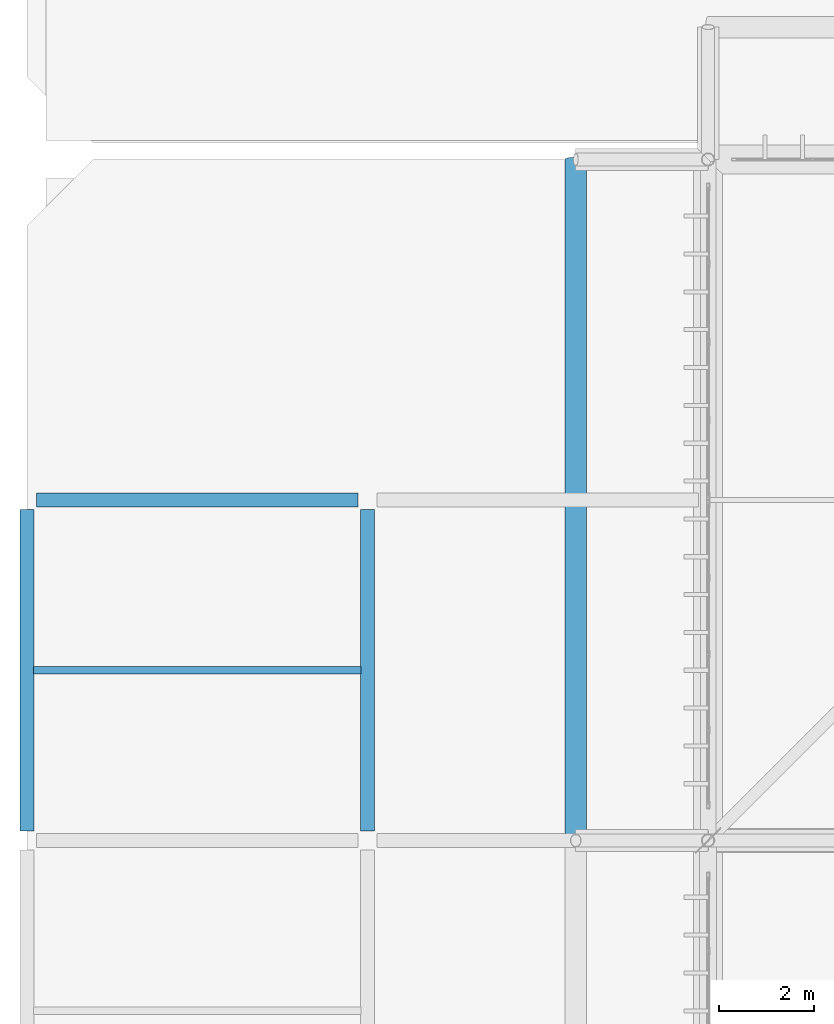
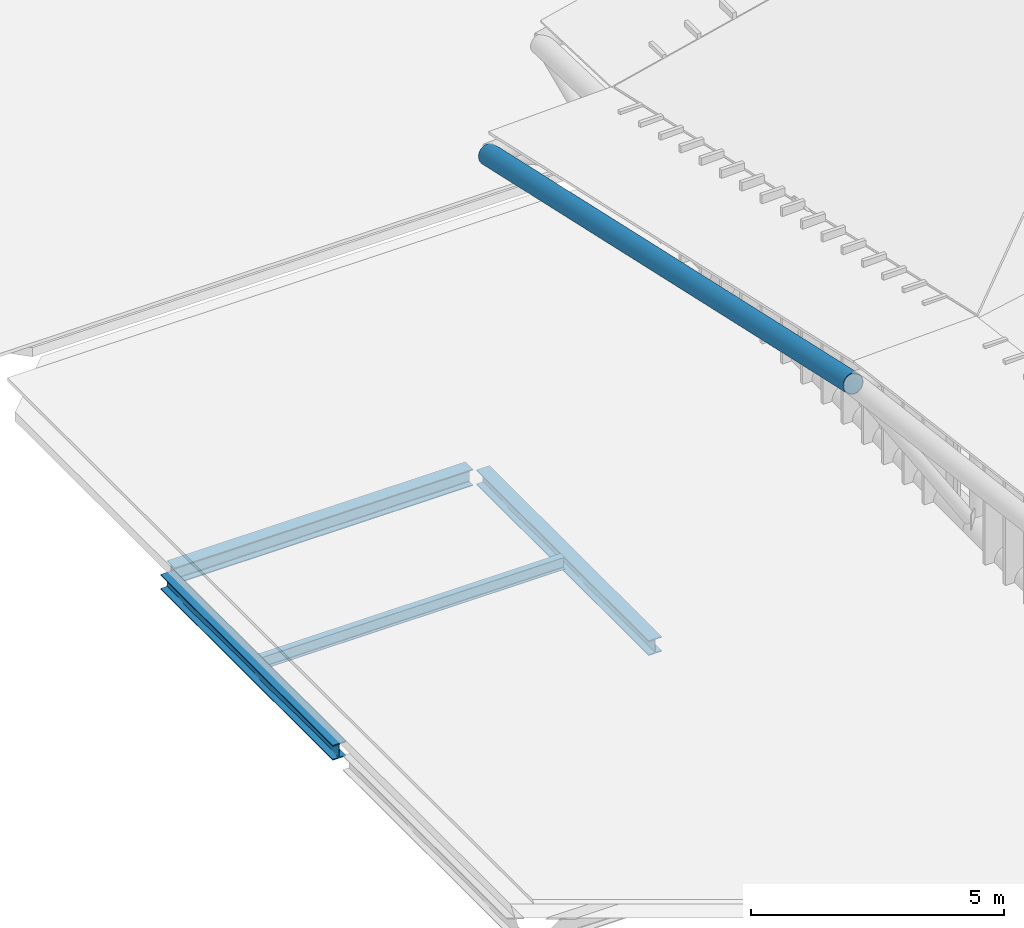
# One storey, part 210 of 397: 5 beams.
"""IFC4 building model written with IfcOpenShell, lengths in metres."""

from ifc_helpers import new_model, si_unit, direction, frame, origin, origin_2d, place, context, subcontext, project, spatial, hollow_circle, i_section, extrude, material, material_profile, profile_set, type_object, element, save


model = new_model("IFC4")

# Units and contexts
model_context = context("Model", 3, precision=1e-05, world=origin(), true_north=direction((0.0, 1.0)))
body_context = subcontext(model_context, "Body", "Model", "MODEL_VIEW")
ifc_project = project(units=[si_unit("LENGTHUNIT", "METRE"), si_unit("AREAUNIT", "SQUARE_METRE"), si_unit("VOLUMEUNIT", "CUBIC_METRE"), si_unit("PLANEANGLEUNIT", "RADIAN"), si_unit("MASSUNIT", "GRAM", prefix="KILO")], contexts=[model_context])

# Site, building, storey
site_placement = place(None, origin())
site = spatial("IfcSite", under=ifc_project, at=site_placement, CompositionType="ELEMENT")
building_placement = place(site_placement, origin())
building = spatial("IfcBuilding", under=site, at=building_placement, Name="Qandorah Velis Arena", CompositionType="ELEMENT")
storey_placement = place(building_placement, frame((0.0, 0.0, 27.5)))
storey = spatial("IfcBuildingStorey", under=building, at=storey_placement, Name="RF", CompositionType="ELEMENT", Elevation=27.5)

# Beams
ifc_material = material(Name="Steel S355", Category="steel")
ifc_material_profile_1 = material_profile(ifc_material, i_section(OverallWidth=0.300048828125, OverallDepth=0.360107421875, WebThickness=0.012451171875, FlangeThickness=0.0224609375, FilletRadius=0.027099609375, at=origin_2d()), Name="HEB 360")
ifc_profile_set_1 = profile_set([ifc_material_profile_1], Name="Steel S355")
beam_type_1 = type_object("IfcBeamType", Name="STR-BM-HEB360", PredefinedType="BEAM", material=ifc_profile_set_1)
for number, where, z_axis, x_axis, name in (
    (1, (0.0, 101.0, -0.39990234375), (0.0, 1.0, 0.0), (-1.0, 0.0, 0.0), "Primary floor girder RF Y-074"),
    (2, (7.199951171875, 101.0, -0.39990234375), (0.0, 1.0, 0.0), (-1.0, 0.0, 0.0), "Primary floor girder RF Y-086"),
):
    element("IfcBeam", number, at=place(storey_placement, frame(where, z_axis=z_axis, x_axis=x_axis)), inside=storey, type_object=beam_type_1, Name=name, PredefinedType="BEAM", context=body_context, shape_type="SweptSolid", body=[
        extrude(i_section(OverallWidth=0.300048828125, OverallDepth=0.360107421875, WebThickness=0.012451171875, FlangeThickness=0.0224609375, FilletRadius=0.027099609375, at=origin_2d()), origin(), (0.0, 0.0, 1.0), 6.800048828125),
    ])
ifc_material_profile_2 = material_profile(ifc_material, i_section(OverallWidth=0.300048828125, OverallDepth=0.39990234375, WebThickness=0.013427734375, FlangeThickness=0.02392578125, FilletRadius=0.027099609375, at=origin_2d()), Name="HEB 400")
ifc_profile_set_2 = profile_set([ifc_material_profile_2], Name="Steel S355")
beam_type_2 = type_object("IfcBeamType", Name="STR-BM-HEB400", PredefinedType="BEAM", material=ifc_profile_set_2)
beam_1_placement = place(storey_placement, frame((0.199951171875, 108.0, -0.419921875), z_axis=(1.0, 0.0, 0.0), x_axis=(0.0, 1.0, 0.0)))
element("IfcBeam", 3, at=beam_1_placement, inside=storey, type_object=beam_type_2, Name="Primary floor girder RF X-043", PredefinedType="BEAM", context=body_context, shape_type="SweptSolid", body=[
    extrude(i_section(OverallWidth=0.300048828125, OverallDepth=0.39990234375, WebThickness=0.013427734375, FlangeThickness=0.02392578125, FilletRadius=0.027099609375, at=origin_2d()), origin(), (0.0, 0.0, 1.0), 6.800048828125),
])
ifc_material_profile_3 = material_profile(ifc_material, i_section(OverallWidth=0.14990234375, OverallDepth=0.300048828125, WebThickness=0.007080078125, FlangeThickness=0.0107421875, FilletRadius=0.014892578125, at=origin_2d()), Name="IPE 300")
ifc_profile_set_3 = profile_set([ifc_material_profile_3], Name="Steel S355")
beam_type_3 = type_object("IfcBeamType", Name="STR-JST-IPE300", PredefinedType="JOIST", material=ifc_profile_set_3)
beam_2_placement = place(storey_placement, frame((0.135009765625, 104.39990234375, -0.3701171875), z_axis=(1.0, 0.0, 0.0), x_axis=(0.0, 1.0, 0.0)))
element("IfcBeam", 4, at=beam_2_placement, inside=storey, type_object=beam_type_3, Name="Secondary floor joist RF-012", PredefinedType="JOIST", context=body_context, shape_type="SweptSolid", body=[
    extrude(i_section(OverallWidth=0.14990234375, OverallDepth=0.300048828125, WebThickness=0.007080078125, FlangeThickness=0.0107421875, FilletRadius=0.014892578125, at=origin_2d()), origin(), (0.0, 0.0, 1.0), 6.929931640625),
])
ifc_material_profile_4 = material_profile(ifc_material, hollow_circle(Radius=0.228515625, WallThickness=0.01611328125, at=origin_2d()), Name="CHS 457x16")
ifc_profile_set_4 = profile_set([ifc_material_profile_4], Name="Steel S355")
beam_type_4 = type_object("IfcBeamType", Name="STR-SFC-CHS457X16", PredefinedType="USERDEFINED", material=ifc_profile_set_4)
beam_3_placement = place(storey_placement, frame((11.60009765625, 100.800048828125, 4.50830078125), z_axis=(0.0, 0.976068153523, -0.217464846995), x_axis=(-1.0, 0.0, 0.0)))
element("IfcBeam", 5, at=beam_3_placement, inside=storey, type_object=beam_type_4, Name="Space frame eave fascia ring W-6", ObjectType="ROOF TRUSS", PredefinedType="USERDEFINED", context=body_context, shape_type="SweptSolid", body=[
    extrude(hollow_circle(Radius=0.228515625, WallThickness=0.01611328125, at=origin_2d()), origin(), (0.0, 0.0, 1.0), 14.7529296875),
])

save(model, "model.ifc")
